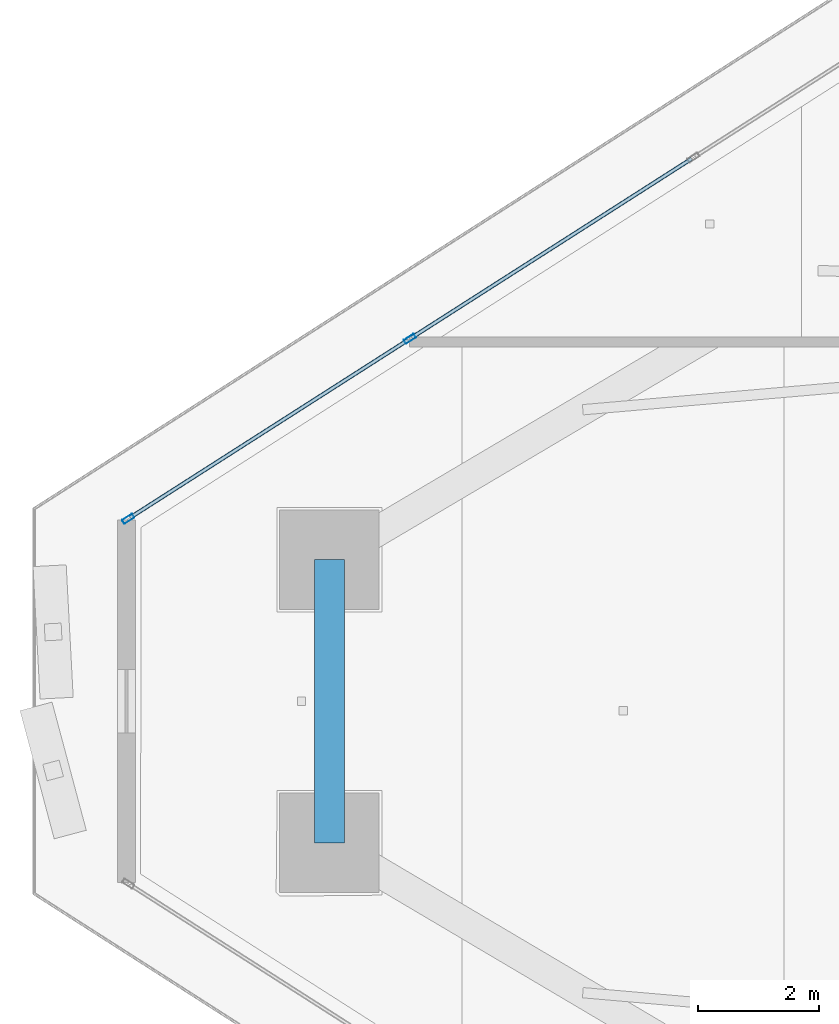
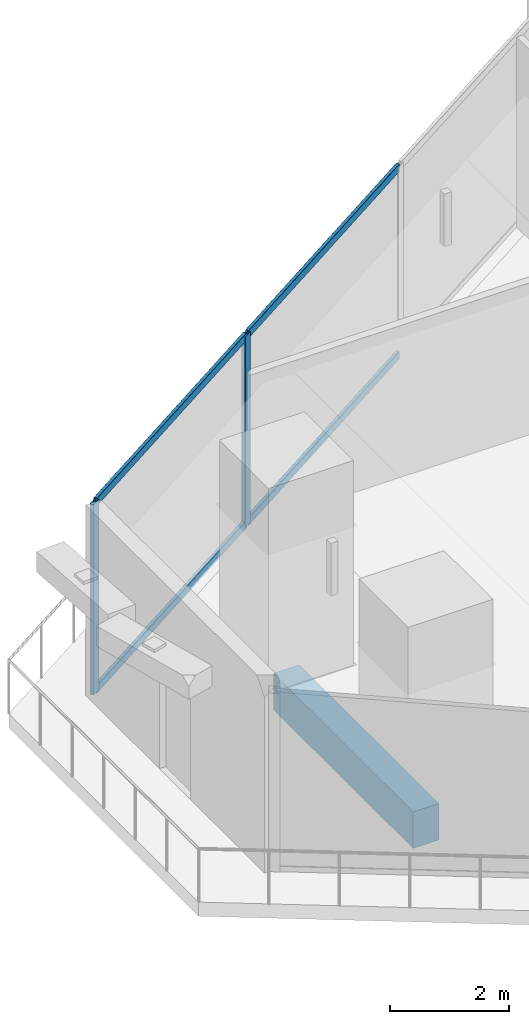
# One storey, part 8 of 36: 6 members, 1 beam, 1 element without a shape of its own.
"""IFC4 building model written with IfcOpenShell, lengths in metres."""

from ifc_helpers import new_model, si_unit, direction, frame, origin, origin_2d, place, context, subcontext, project, spatial, rectangle, hollow_rectangle, extrude, material, layer, layer_set, material_profile, profile_set, type_object, element, aggregate, save


model = new_model("IFC4")

# Units and contexts
model_context = context("Model", 3, precision=1e-05, world=origin(), true_north=direction((0.0, 1.0)))
body_context = subcontext(model_context, "Body", "Model", "MODEL_VIEW")
ifc_project = project(units=[si_unit("LENGTHUNIT", "METRE"), si_unit("AREAUNIT", "SQUARE_METRE"), si_unit("VOLUMEUNIT", "CUBIC_METRE"), si_unit("PLANEANGLEUNIT", "RADIAN"), si_unit("MASSUNIT", "GRAM", prefix="KILO")], contexts=[model_context])

# Site, building, storey
site_placement = place(None, origin())
site = spatial("IfcSite", under=ifc_project, at=site_placement, CompositionType="ELEMENT")
building_placement = place(site_placement, origin())
building = spatial("IfcBuilding", under=site, at=building_placement, Name="Qorvath Tower", CompositionType="ELEMENT")
storey_placement = place(building_placement, frame((0.0, 0.0, 272.39990234375)))
storey = spatial("IfcBuildingStorey", under=building, at=storey_placement, Name="L63", CompositionType="ELEMENT", Elevation=272.39990234375)

# Beam
ifc_material_1 = material(Name="Concrete C45/55", Category="concrete")
ifc_material_profile_1 = material_profile(ifc_material_1, rectangle(XDim=0.5, YDim=0.75, at=origin_2d()), Name="RCB 750x500")
ifc_profile_set_1 = profile_set([ifc_material_profile_1], Name="Concrete C45/55")
beam_type = type_object("IfcBeamType", Name="BM-RCB3", PredefinedType="SPANDREL", material=ifc_profile_set_1)
beam_placement = place(storey_placement, frame((-47.53759765625, 2.349609375, -0.664794921875), z_axis=(0.0, -1.0, 0.0), x_axis=(1.0, 0.0, 0.0)))
element("IfcBeam", 1, at=beam_placement, inside=storey, type_object=beam_type, Name="Perimeter Loggia Frame Beam MC1-MC2 L63", PredefinedType="SPANDREL", context=body_context, shape_type="SweptSolid", body=[
    extrude(rectangle(XDim=0.5, YDim=0.75, at=origin_2d()), origin(), (0.0, 0.0, 1.0), 4.69921875),
])

# Curtain wall, members
ifc_material_2 = material(Name="Anodised aluminium and triple low-E glass", Category="aluminium")
ifc_layer = layer(ifc_material_2, 0.179931640625)
ifc_layer_set = layer_set([ifc_layer], Name="CW-SYS-4")
curtain_wall_type = type_object("IfcCurtainWallType", Name="CW-SYS-4", PredefinedType="NOTDEFINED", material=ifc_layer_set)
curtain_wall_placement = place(storey_placement, origin())
curtain_wall = element("IfcCurtainWall", 2, at=curtain_wall_placement, inside=storey, type_object=curtain_wall_type, Name="Curtain Wall CW-4 CW-T-L63-16.1", PredefinedType="NOTDEFINED")
ifc_material_3 = material(Name="Anodised aluminium 6063-T6", Category="aluminium")
ifc_material_profile_2 = material_profile(ifc_material_3, hollow_rectangle(XDim=0.074951171875, YDim=0.199951171875, WallThickness=0.00390625, InnerFilletRadius=0.00390625, OuterFilletRadius=0.008056640625, at=origin_2d()), Name="CWM 200x75")
ifc_profile_set_2 = profile_set([ifc_material_profile_2], Name="Anodised aluminium 6063-T6")
member_type_1 = type_object("IfcMemberType", Name="CWM-200", PredefinedType="MULLION", material=ifc_profile_set_2)
member_1_placement = place(storey_placement, frame((-46.203125, 6.01171875, 0.0), z_axis=(0.0, 0.0, 1.0), x_axis=(0.538533509281, -0.842604094093, 0.0)))
member_1 = element("IfcMember", 3, at=member_1_placement, type_object=member_type_1, Name="CW-4 mullion 7", PredefinedType="MULLION", context=body_context, shape_type="SweptSolid", body=[
    extrude(hollow_rectangle(XDim=0.074951171875, YDim=0.199951171875, WallThickness=0.00390625, InnerFilletRadius=0.00390625, OuterFilletRadius=0.008056640625, at=origin_2d()), origin(), (0.0, 0.0, 1.0), 3.91015625),
])
member_2_placement = place(storey_placement, frame((-50.87451171875, 3.026123046875, 0.0), z_axis=(0.0, 0.0, 1.0), x_axis=(0.538533509281, -0.842604094093, 0.0)))
member_2 = element("IfcMember", 4, at=member_2_placement, type_object=member_type_1, Name="CW-4 mullion 8", PredefinedType="MULLION", context=body_context, shape_type="SweptSolid", body=[
    extrude(hollow_rectangle(XDim=0.074951171875, YDim=0.199951171875, WallThickness=0.00390625, InnerFilletRadius=0.00390625, OuterFilletRadius=0.008056640625, at=origin_2d()), origin(), (0.0, 0.0, 1.0), 3.91015625),
])
ifc_material_4 = material(Name="Anodised aluminium 6063-T6", Category="aluminium")
ifc_material_profile_3 = material_profile(ifc_material_4, hollow_rectangle(XDim=0.06494140625, YDim=0.159912109375, WallThickness=0.00341796875, InnerFilletRadius=0.00341796875, OuterFilletRadius=0.007080078125, at=origin_2d()), Name="CWT 160x65")
ifc_profile_set_3 = profile_set([ifc_material_profile_3], Name="Anodised aluminium 6063-T6")
member_type_2 = type_object("IfcMemberType", Name="CWT-160", PredefinedType="USERDEFINED", material=ifc_profile_set_3)
member_3_placement = place(storey_placement, frame((-41.531494140625, 8.99755859375, 0.032470703125), z_axis=(-0.842597346925, -0.538544065935, 0.0), x_axis=(0.538544065935, -0.842597346925, 0.0)))
member_3 = element("IfcMember", 5, at=member_3_placement, type_object=member_type_2, Name="CW-4 transom 6.1", ObjectType="TRANSOM", PredefinedType="USERDEFINED", context=body_context, shape_type="SweptSolid", body=[
    extrude(hollow_rectangle(XDim=0.06494140625, YDim=0.159912109375, WallThickness=0.00341796875, InnerFilletRadius=0.00341796875, OuterFilletRadius=0.007080078125, at=origin_2d()), origin(), (0.0, 0.0, 1.0), 5.506591796875),
])
member_4_placement = place(storey_placement, frame((-41.531494140625, 8.99755859375, 3.877685546875), z_axis=(-0.842597346925, -0.538544065935, 0.0), x_axis=(0.538544065935, -0.842597346925, 0.0)))
member_4 = element("IfcMember", 6, at=member_4_placement, type_object=member_type_2, Name="CW-4 transom 6.2", ObjectType="TRANSOM", PredefinedType="USERDEFINED", context=body_context, shape_type="SweptSolid", body=[
    extrude(hollow_rectangle(XDim=0.06494140625, YDim=0.159912109375, WallThickness=0.00341796875, InnerFilletRadius=0.00341796875, OuterFilletRadius=0.007080078125, at=origin_2d()), origin(), (0.0, 0.0, 1.0), 5.506591796875),
])
member_5_placement = place(storey_placement, frame((-46.234619140625, 5.99169921875, 0.032470703125), z_axis=(-0.842608486836, -0.538526636215, 0.0), x_axis=(0.538526636215, -0.842608486836, 0.0)))
member_5 = element("IfcMember", 7, at=member_5_placement, type_object=member_type_2, Name="CW-4 transom 7.1", ObjectType="TRANSOM", PredefinedType="USERDEFINED", context=body_context, shape_type="SweptSolid", body=[
    extrude(hollow_rectangle(XDim=0.06494140625, YDim=0.159912109375, WallThickness=0.00341796875, InnerFilletRadius=0.00341796875, OuterFilletRadius=0.007080078125, at=origin_2d()), origin(), (0.0, 0.0, 1.0), 5.46923828125),
])
member_6_placement = place(storey_placement, frame((-46.234619140625, 5.99169921875, 3.877685546875), z_axis=(-0.842608486836, -0.538526636215, 0.0), x_axis=(0.538526636215, -0.842608486836, 0.0)))
member_6 = element("IfcMember", 8, at=member_6_placement, type_object=member_type_2, Name="CW-4 transom 7.2", ObjectType="TRANSOM", PredefinedType="USERDEFINED", context=body_context, shape_type="SweptSolid", body=[
    extrude(hollow_rectangle(XDim=0.06494140625, YDim=0.159912109375, WallThickness=0.00341796875, InnerFilletRadius=0.00341796875, OuterFilletRadius=0.007080078125, at=origin_2d()), origin(), (0.0, 0.0, 1.0), 5.46923828125),
])
aggregate(curtain_wall, [member_1, member_2, member_3, member_4, member_5, member_6])

save(model, "model.ifc")
